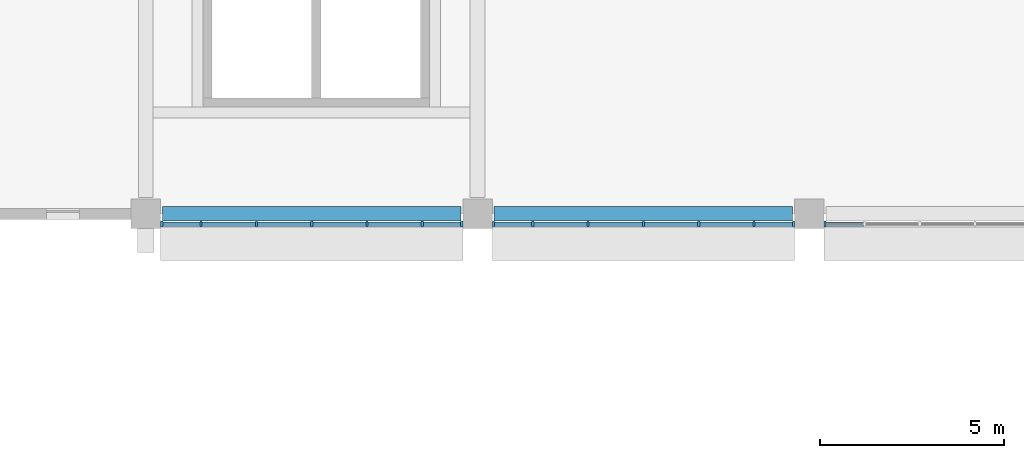
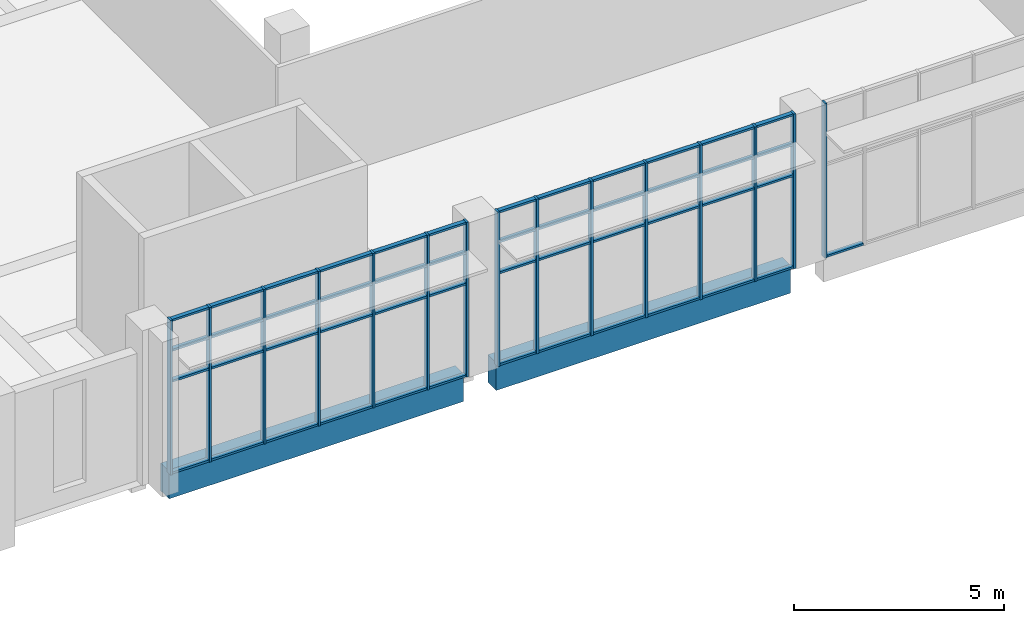
# One storey, part 2 of 106: 64 members, 2 beams, 3 elements without a shape of their own.
"""IFC4 building model written with IfcOpenShell, lengths in metres."""

from ifc_helpers import new_model, si_unit, direction, frame, origin, origin_2d, place, context, subcontext, project, spatial, rectangle, extrude, material, layer, layer_set, material_profile, profile_set, type_object, element, aggregate, save


model = new_model("IFC4")

# Units and contexts
model_context = context("Model", 3, precision=1e-05, world=origin(), true_north=direction((0.0, 1.0)))
body_context = subcontext(model_context, "Body", "Model", "MODEL_VIEW")
ifc_project = project(units=[si_unit("LENGTHUNIT", "METRE"), si_unit("AREAUNIT", "SQUARE_METRE"), si_unit("VOLUMEUNIT", "CUBIC_METRE"), si_unit("PLANEANGLEUNIT", "RADIAN"), si_unit("MASSUNIT", "GRAM", prefix="KILO")], contexts=[model_context])

# Site, building, storey
site_placement = place(None, origin())
site = spatial("IfcSite", under=ifc_project, at=site_placement, CompositionType="ELEMENT")
building_placement = place(site_placement, origin())
building = spatial("IfcBuilding", under=site, at=building_placement, Name="Guidao Yard Department Store", CompositionType="ELEMENT")
storey_placement = place(building_placement, frame((0.0, 0.0, 10.5)))
storey = spatial("IfcBuildingStorey", under=building, at=storey_placement, Name="L02", CompositionType="ELEMENT", Elevation=10.5)

# Curtain wall, members
ifc_material_1 = material(Name="Aluminium and glass", Category="aluminium")
ifc_layer = layer(ifc_material_1, 0.159912109375)
ifc_layer_set = layer_set([ifc_layer], Name="Hall front curtain wall CW2 1500 module")
curtain_wall_type = type_object("IfcCurtainWallType", Name="Hall front curtain wall CW2 1500 module", PredefinedType="NOTDEFINED", material=ifc_layer_set)
curtain_wall_1_placement = place(storey_placement, origin())
curtain_wall_1 = element("IfcCurtainWall", 1, at=curtain_wall_1_placement, inside=storey, type_object=curtain_wall_type, Name="Hall front curtain wall", PredefinedType="NOTDEFINED")
ifc_material_2 = material(Name="Aluminium 6063-T5", Category="aluminium")
ifc_material_profile_1 = material_profile(ifc_material_2, rectangle(XDim=0.06005859375, YDim=0.159912109375, at=origin_2d()), Name="Mullion M1 60 x 160 aluminium pressure plate")
ifc_profile_set_1 = profile_set([ifc_material_profile_1], Name="Aluminium 6063-T5")
member_type_1 = type_object("IfcMemberType", Name="Mullion M1 60 x 160 aluminium pressure plate", PredefinedType="MULLION", material=ifc_profile_set_1)
member_1_placement = place(storey_placement, frame((9.429931640625, 44.719970703125, 0.0), z_axis=(0.0, 0.0, 1.0), x_axis=(-1.0, 0.0, 0.0)))
member_1 = element("IfcMember", 2, at=member_1_placement, type_object=member_type_1, Name="CW-HF-L02-01 mullion 1", PredefinedType="MULLION", context=body_context, shape_type="SweptSolid", body=[
    extrude(rectangle(XDim=0.06005859375, YDim=0.159912109375, at=origin_2d()), origin(), (0.0, 0.0, 1.0), 4.5),
])
member_2_placement = place(storey_placement, frame((10.5, 44.719970703125, 0.0), z_axis=(0.0, 0.0, 1.0), x_axis=(-1.0, 0.0, 0.0)))
member_2 = element("IfcMember", 3, at=member_2_placement, type_object=member_type_1, Name="CW-HF-L02-01 mullion 2", PredefinedType="MULLION", context=body_context, shape_type="SweptSolid", body=[
    extrude(rectangle(XDim=0.06005859375, YDim=0.159912109375, at=origin_2d()), origin(), (0.0, 0.0, 1.0), 4.5),
])
member_3_placement = place(storey_placement, frame((12.0, 44.719970703125, 0.0), z_axis=(0.0, 0.0, 1.0), x_axis=(-1.0, 0.0, 0.0)))
member_3 = element("IfcMember", 4, at=member_3_placement, type_object=member_type_1, Name="CW-HF-L02-01 mullion 3", PredefinedType="MULLION", context=body_context, shape_type="SweptSolid", body=[
    extrude(rectangle(XDim=0.06005859375, YDim=0.159912109375, at=origin_2d()), origin(), (0.0, 0.0, 1.0), 4.5),
])
member_4_placement = place(storey_placement, frame((13.5, 44.719970703125, 0.0), z_axis=(0.0, 0.0, 1.0), x_axis=(-1.0, 0.0, 0.0)))
member_4 = element("IfcMember", 5, at=member_4_placement, type_object=member_type_1, Name="CW-HF-L02-01 mullion 4", PredefinedType="MULLION", context=body_context, shape_type="SweptSolid", body=[
    extrude(rectangle(XDim=0.06005859375, YDim=0.159912109375, at=origin_2d()), origin(), (0.0, 0.0, 1.0), 4.5),
])
member_5_placement = place(storey_placement, frame((15.0, 44.719970703125, 0.0), z_axis=(0.0, 0.0, 1.0), x_axis=(-1.0, 0.0, 0.0)))
member_5 = element("IfcMember", 6, at=member_5_placement, type_object=member_type_1, Name="CW-HF-L02-01 mullion 5", PredefinedType="MULLION", context=body_context, shape_type="SweptSolid", body=[
    extrude(rectangle(XDim=0.06005859375, YDim=0.159912109375, at=origin_2d()), origin(), (0.0, 0.0, 1.0), 4.5),
])
member_6_placement = place(storey_placement, frame((16.5, 44.719970703125, 0.0), z_axis=(0.0, 0.0, 1.0), x_axis=(-1.0, 0.0, 0.0)))
member_6 = element("IfcMember", 7, at=member_6_placement, type_object=member_type_1, Name="CW-HF-L02-01 mullion 6", PredefinedType="MULLION", context=body_context, shape_type="SweptSolid", body=[
    extrude(rectangle(XDim=0.06005859375, YDim=0.159912109375, at=origin_2d()), origin(), (0.0, 0.0, 1.0), 4.5),
])
member_7_placement = place(storey_placement, frame((17.570068359375, 44.719970703125, 0.0), z_axis=(0.0, 0.0, 1.0), x_axis=(-1.0, 0.0, 0.0)))
member_7 = element("IfcMember", 8, at=member_7_placement, type_object=member_type_1, Name="CW-HF-L02-01 mullion 7", PredefinedType="MULLION", context=body_context, shape_type="SweptSolid", body=[
    extrude(rectangle(XDim=0.06005859375, YDim=0.159912109375, at=origin_2d()), origin(), (0.0, 0.0, 1.0), 4.5),
])

curtain_wall_2_placement = place(storey_placement, origin())
curtain_wall_2 = element("IfcCurtainWall", 9, at=curtain_wall_2_placement, inside=storey, type_object=curtain_wall_type, Name="Hall front curtain wall", PredefinedType="NOTDEFINED")
member_8_placement = place(storey_placement, frame((18.429931640625, 44.719970703125, 0.0), z_axis=(0.0, 0.0, 1.0), x_axis=(-1.0, 0.0, 0.0)))
member_8 = element("IfcMember", 10, at=member_8_placement, type_object=member_type_1, Name="CW-HF-L02-02 mullion 1", PredefinedType="MULLION", context=body_context, shape_type="SweptSolid", body=[
    extrude(rectangle(XDim=0.06005859375, YDim=0.159912109375, at=origin_2d()), origin(), (0.0, 0.0, 1.0), 4.5),
])
member_9_placement = place(storey_placement, frame((19.5, 44.719970703125, 0.0), z_axis=(0.0, 0.0, 1.0), x_axis=(-1.0, 0.0, 0.0)))
member_9 = element("IfcMember", 11, at=member_9_placement, type_object=member_type_1, Name="CW-HF-L02-02 mullion 2", PredefinedType="MULLION", context=body_context, shape_type="SweptSolid", body=[
    extrude(rectangle(XDim=0.06005859375, YDim=0.159912109375, at=origin_2d()), origin(), (0.0, 0.0, 1.0), 4.5),
])
member_10_placement = place(storey_placement, frame((21.0, 44.719970703125, 0.0), z_axis=(0.0, 0.0, 1.0), x_axis=(-1.0, 0.0, 0.0)))
member_10 = element("IfcMember", 12, at=member_10_placement, type_object=member_type_1, Name="CW-HF-L02-02 mullion 3", PredefinedType="MULLION", context=body_context, shape_type="SweptSolid", body=[
    extrude(rectangle(XDim=0.06005859375, YDim=0.159912109375, at=origin_2d()), origin(), (0.0, 0.0, 1.0), 4.5),
])
member_11_placement = place(storey_placement, frame((22.5, 44.719970703125, 0.0), z_axis=(0.0, 0.0, 1.0), x_axis=(-1.0, 0.0, 0.0)))
member_11 = element("IfcMember", 13, at=member_11_placement, type_object=member_type_1, Name="CW-HF-L02-02 mullion 4", PredefinedType="MULLION", context=body_context, shape_type="SweptSolid", body=[
    extrude(rectangle(XDim=0.06005859375, YDim=0.159912109375, at=origin_2d()), origin(), (0.0, 0.0, 1.0), 4.5),
])
member_12_placement = place(storey_placement, frame((24.0, 44.719970703125, 0.0), z_axis=(0.0, 0.0, 1.0), x_axis=(-1.0, 0.0, 0.0)))
member_12 = element("IfcMember", 14, at=member_12_placement, type_object=member_type_1, Name="CW-HF-L02-02 mullion 5", PredefinedType="MULLION", context=body_context, shape_type="SweptSolid", body=[
    extrude(rectangle(XDim=0.06005859375, YDim=0.159912109375, at=origin_2d()), origin(), (0.0, 0.0, 1.0), 4.5),
])
member_13_placement = place(storey_placement, frame((25.5, 44.719970703125, 0.0), z_axis=(0.0, 0.0, 1.0), x_axis=(-1.0, 0.0, 0.0)))
member_13 = element("IfcMember", 15, at=member_13_placement, type_object=member_type_1, Name="CW-HF-L02-02 mullion 6", PredefinedType="MULLION", context=body_context, shape_type="SweptSolid", body=[
    extrude(rectangle(XDim=0.06005859375, YDim=0.159912109375, at=origin_2d()), origin(), (0.0, 0.0, 1.0), 4.5),
])
member_14_placement = place(storey_placement, frame((26.570068359375, 44.719970703125, 0.0), z_axis=(0.0, 0.0, 1.0), x_axis=(-1.0, 0.0, 0.0)))
member_14 = element("IfcMember", 16, at=member_14_placement, type_object=member_type_1, Name="CW-HF-L02-02 mullion 7", PredefinedType="MULLION", context=body_context, shape_type="SweptSolid", body=[
    extrude(rectangle(XDim=0.06005859375, YDim=0.159912109375, at=origin_2d()), origin(), (0.0, 0.0, 1.0), 4.5),
])

# Curtain wall, member
curtain_wall_3_placement = place(storey_placement, origin())
curtain_wall_3 = element("IfcCurtainWall", 17, at=curtain_wall_3_placement, inside=storey, type_object=curtain_wall_type, Name="Hall front curtain wall", PredefinedType="NOTDEFINED")
member_15_placement = place(storey_placement, frame((27.429931640625, 44.719970703125, 0.0), z_axis=(0.0, 0.0, 1.0), x_axis=(-1.0, 0.0, 0.0)))
member_15 = element("IfcMember", 18, at=member_15_placement, type_object=member_type_1, Name="CW-HF-L02-03 mullion 1", PredefinedType="MULLION", context=body_context, shape_type="SweptSolid", body=[
    extrude(rectangle(XDim=0.06005859375, YDim=0.159912109375, at=origin_2d()), origin(), (0.0, 0.0, 1.0), 4.5),
])

# Beams
ifc_material_3 = material(Name="Concrete C40", Category="concrete")
ifc_material_profile_2 = material_profile(ifc_material_3, rectangle(XDim=0.39990234375, YDim=0.800048828125, at=origin_2d()), Name="Spandrel beam 400 x 800 C40")
ifc_profile_set_2 = profile_set([ifc_material_profile_2], Name="Concrete C40")
beam_type = type_object("IfcBeamType", Name="Spandrel beam 400 x 800 C40", PredefinedType="SPANDREL", material=ifc_profile_set_2)
for number, where, z_axis, x_axis, name in (
    (19, (9.449951171875, 45.0, -0.39990234375), (1.0, 0.0, 0.0), (0.0, 1.0, 0.0), "Beam EB01"),
    (20, (18.449951171875, 45.0, -0.39990234375), (1.0, 0.0, 0.0), (0.0, 1.0, 0.0), "Beam EB02"),
):
    element("IfcBeam", number, at=place(storey_placement, frame(where, z_axis=z_axis, x_axis=x_axis)), inside=storey, type_object=beam_type, Name=name, PredefinedType="SPANDREL", context=body_context, shape_type="SweptSolid", body=[
        extrude(rectangle(XDim=0.39990234375, YDim=0.800048828125, at=origin_2d()), origin(), (0.0, 0.0, 1.0), 8.10009765625),
    ])

# Member
ifc_material_4 = material(Name="Aluminium 6063-T5", Category="aluminium")
ifc_material_profile_3 = material_profile(ifc_material_4, rectangle(XDim=0.1201171875, YDim=0.06005859375, at=origin_2d()), Name="Transom T1 60 x 120 aluminium pressure plate")
ifc_profile_set_3 = profile_set([ifc_material_profile_3], Name="Aluminium 6063-T5")
member_type_2 = type_object("IfcMemberType", Name="Transom T1 60 x 120 aluminium pressure plate", PredefinedType="USERDEFINED", material=ifc_profile_set_3)
member_16_placement = place(storey_placement, frame((10.469970703125, 44.719970703125, 0.030029296875), z_axis=(-1.0, 0.0, 0.0), x_axis=(0.0, -1.0, 0.0)))
member_16 = element("IfcMember", 21, at=member_16_placement, type_object=member_type_2, Name="CW-HF-L02-01 transom 1.1", ObjectType="TRANSOM", PredefinedType="USERDEFINED", context=body_context, shape_type="SweptSolid", body=[
    extrude(rectangle(XDim=0.1201171875, YDim=0.06005859375, at=origin_2d()), origin(), (0.0, 0.0, 1.0), 1.010009765625),
])

member_17_placement = place(storey_placement, frame((10.469970703125, 44.719970703125, 2.699951171875), z_axis=(-1.0, 0.0, 0.0), x_axis=(0.0, -1.0, 0.0)))
member_17 = element("IfcMember", 22, at=member_17_placement, type_object=member_type_2, Name="CW-HF-L02-01 transom 1.2", ObjectType="TRANSOM", PredefinedType="USERDEFINED", context=body_context, shape_type="SweptSolid", body=[
    extrude(rectangle(XDim=0.1201171875, YDim=0.06005859375, at=origin_2d()), origin(), (0.0, 0.0, 1.0), 1.010009765625),
])

member_18_placement = place(storey_placement, frame((10.469970703125, 44.719970703125, 3.60009765625), z_axis=(-1.0, 0.0, 0.0), x_axis=(0.0, -1.0, 0.0)))
member_18 = element("IfcMember", 23, at=member_18_placement, type_object=member_type_2, Name="CW-HF-L02-01 transom 1.3", ObjectType="TRANSOM", PredefinedType="USERDEFINED", context=body_context, shape_type="SweptSolid", body=[
    extrude(rectangle(XDim=0.1201171875, YDim=0.06005859375, at=origin_2d()), origin(), (0.0, 0.0, 1.0), 1.010009765625),
])

member_19_placement = place(storey_placement, frame((10.469970703125, 44.719970703125, 4.469970703125), z_axis=(-1.0, 0.0, 0.0), x_axis=(0.0, -1.0, 0.0)))
member_19 = element("IfcMember", 24, at=member_19_placement, type_object=member_type_2, Name="CW-HF-L02-01 transom 1.4", ObjectType="TRANSOM", PredefinedType="USERDEFINED", context=body_context, shape_type="SweptSolid", body=[
    extrude(rectangle(XDim=0.1201171875, YDim=0.06005859375, at=origin_2d()), origin(), (0.0, 0.0, 1.0), 1.010009765625),
])

member_20_placement = place(storey_placement, frame((11.969970703125, 44.719970703125, 0.030029296875), z_axis=(-1.0, 0.0, 0.0), x_axis=(0.0, -1.0, 0.0)))
member_20 = element("IfcMember", 25, at=member_20_placement, type_object=member_type_2, Name="CW-HF-L02-01 transom 2.1", ObjectType="TRANSOM", PredefinedType="USERDEFINED", context=body_context, shape_type="SweptSolid", body=[
    extrude(rectangle(XDim=0.1201171875, YDim=0.06005859375, at=origin_2d()), origin(), (0.0, 0.0, 1.0), 1.43994140625),
])

member_21_placement = place(storey_placement, frame((11.969970703125, 44.719970703125, 2.699951171875), z_axis=(-1.0, 0.0, 0.0), x_axis=(0.0, -1.0, 0.0)))
member_21 = element("IfcMember", 26, at=member_21_placement, type_object=member_type_2, Name="CW-HF-L02-01 transom 2.2", ObjectType="TRANSOM", PredefinedType="USERDEFINED", context=body_context, shape_type="SweptSolid", body=[
    extrude(rectangle(XDim=0.1201171875, YDim=0.06005859375, at=origin_2d()), origin(), (0.0, 0.0, 1.0), 1.43994140625),
])

member_22_placement = place(storey_placement, frame((11.969970703125, 44.719970703125, 3.60009765625), z_axis=(-1.0, 0.0, 0.0), x_axis=(0.0, -1.0, 0.0)))
member_22 = element("IfcMember", 27, at=member_22_placement, type_object=member_type_2, Name="CW-HF-L02-01 transom 2.3", ObjectType="TRANSOM", PredefinedType="USERDEFINED", context=body_context, shape_type="SweptSolid", body=[
    extrude(rectangle(XDim=0.1201171875, YDim=0.06005859375, at=origin_2d()), origin(), (0.0, 0.0, 1.0), 1.43994140625),
])

member_23_placement = place(storey_placement, frame((11.969970703125, 44.719970703125, 4.469970703125), z_axis=(-1.0, 0.0, 0.0), x_axis=(0.0, -1.0, 0.0)))
member_23 = element("IfcMember", 28, at=member_23_placement, type_object=member_type_2, Name="CW-HF-L02-01 transom 2.4", ObjectType="TRANSOM", PredefinedType="USERDEFINED", context=body_context, shape_type="SweptSolid", body=[
    extrude(rectangle(XDim=0.1201171875, YDim=0.06005859375, at=origin_2d()), origin(), (0.0, 0.0, 1.0), 1.43994140625),
])

member_24_placement = place(storey_placement, frame((13.469970703125, 44.719970703125, 0.030029296875), z_axis=(-1.0, 0.0, 0.0), x_axis=(0.0, -1.0, 0.0)))
member_24 = element("IfcMember", 29, at=member_24_placement, type_object=member_type_2, Name="CW-HF-L02-01 transom 3.1", ObjectType="TRANSOM", PredefinedType="USERDEFINED", context=body_context, shape_type="SweptSolid", body=[
    extrude(rectangle(XDim=0.1201171875, YDim=0.06005859375, at=origin_2d()), origin(), (0.0, 0.0, 1.0), 1.43994140625),
])

member_25_placement = place(storey_placement, frame((13.469970703125, 44.719970703125, 2.699951171875), z_axis=(-1.0, 0.0, 0.0), x_axis=(0.0, -1.0, 0.0)))
member_25 = element("IfcMember", 30, at=member_25_placement, type_object=member_type_2, Name="CW-HF-L02-01 transom 3.2", ObjectType="TRANSOM", PredefinedType="USERDEFINED", context=body_context, shape_type="SweptSolid", body=[
    extrude(rectangle(XDim=0.1201171875, YDim=0.06005859375, at=origin_2d()), origin(), (0.0, 0.0, 1.0), 1.43994140625),
])

member_26_placement = place(storey_placement, frame((13.469970703125, 44.719970703125, 3.60009765625), z_axis=(-1.0, 0.0, 0.0), x_axis=(0.0, -1.0, 0.0)))
member_26 = element("IfcMember", 31, at=member_26_placement, type_object=member_type_2, Name="CW-HF-L02-01 transom 3.3", ObjectType="TRANSOM", PredefinedType="USERDEFINED", context=body_context, shape_type="SweptSolid", body=[
    extrude(rectangle(XDim=0.1201171875, YDim=0.06005859375, at=origin_2d()), origin(), (0.0, 0.0, 1.0), 1.43994140625),
])

member_27_placement = place(storey_placement, frame((13.469970703125, 44.719970703125, 4.469970703125), z_axis=(-1.0, 0.0, 0.0), x_axis=(0.0, -1.0, 0.0)))
member_27 = element("IfcMember", 32, at=member_27_placement, type_object=member_type_2, Name="CW-HF-L02-01 transom 3.4", ObjectType="TRANSOM", PredefinedType="USERDEFINED", context=body_context, shape_type="SweptSolid", body=[
    extrude(rectangle(XDim=0.1201171875, YDim=0.06005859375, at=origin_2d()), origin(), (0.0, 0.0, 1.0), 1.43994140625),
])

member_28_placement = place(storey_placement, frame((14.969970703125, 44.719970703125, 0.030029296875), z_axis=(-1.0, 0.0, 0.0), x_axis=(0.0, -1.0, 0.0)))
member_28 = element("IfcMember", 33, at=member_28_placement, type_object=member_type_2, Name="CW-HF-L02-01 transom 4.1", ObjectType="TRANSOM", PredefinedType="USERDEFINED", context=body_context, shape_type="SweptSolid", body=[
    extrude(rectangle(XDim=0.1201171875, YDim=0.06005859375, at=origin_2d()), origin(), (0.0, 0.0, 1.0), 1.43994140625),
])

member_29_placement = place(storey_placement, frame((14.969970703125, 44.719970703125, 2.699951171875), z_axis=(-1.0, 0.0, 0.0), x_axis=(0.0, -1.0, 0.0)))
member_29 = element("IfcMember", 34, at=member_29_placement, type_object=member_type_2, Name="CW-HF-L02-01 transom 4.2", ObjectType="TRANSOM", PredefinedType="USERDEFINED", context=body_context, shape_type="SweptSolid", body=[
    extrude(rectangle(XDim=0.1201171875, YDim=0.06005859375, at=origin_2d()), origin(), (0.0, 0.0, 1.0), 1.43994140625),
])

member_30_placement = place(storey_placement, frame((14.969970703125, 44.719970703125, 3.60009765625), z_axis=(-1.0, 0.0, 0.0), x_axis=(0.0, -1.0, 0.0)))
member_30 = element("IfcMember", 35, at=member_30_placement, type_object=member_type_2, Name="CW-HF-L02-01 transom 4.3", ObjectType="TRANSOM", PredefinedType="USERDEFINED", context=body_context, shape_type="SweptSolid", body=[
    extrude(rectangle(XDim=0.1201171875, YDim=0.06005859375, at=origin_2d()), origin(), (0.0, 0.0, 1.0), 1.43994140625),
])

member_31_placement = place(storey_placement, frame((14.969970703125, 44.719970703125, 4.469970703125), z_axis=(-1.0, 0.0, 0.0), x_axis=(0.0, -1.0, 0.0)))
member_31 = element("IfcMember", 36, at=member_31_placement, type_object=member_type_2, Name="CW-HF-L02-01 transom 4.4", ObjectType="TRANSOM", PredefinedType="USERDEFINED", context=body_context, shape_type="SweptSolid", body=[
    extrude(rectangle(XDim=0.1201171875, YDim=0.06005859375, at=origin_2d()), origin(), (0.0, 0.0, 1.0), 1.43994140625),
])

member_32_placement = place(storey_placement, frame((16.469970703125, 44.719970703125, 0.030029296875), z_axis=(-1.0, 0.0, 0.0), x_axis=(0.0, -1.0, 0.0)))
member_32 = element("IfcMember", 37, at=member_32_placement, type_object=member_type_2, Name="CW-HF-L02-01 transom 5.1", ObjectType="TRANSOM", PredefinedType="USERDEFINED", context=body_context, shape_type="SweptSolid", body=[
    extrude(rectangle(XDim=0.1201171875, YDim=0.06005859375, at=origin_2d()), origin(), (0.0, 0.0, 1.0), 1.43994140625),
])

member_33_placement = place(storey_placement, frame((16.469970703125, 44.719970703125, 2.699951171875), z_axis=(-1.0, 0.0, 0.0), x_axis=(0.0, -1.0, 0.0)))
member_33 = element("IfcMember", 38, at=member_33_placement, type_object=member_type_2, Name="CW-HF-L02-01 transom 5.2", ObjectType="TRANSOM", PredefinedType="USERDEFINED", context=body_context, shape_type="SweptSolid", body=[
    extrude(rectangle(XDim=0.1201171875, YDim=0.06005859375, at=origin_2d()), origin(), (0.0, 0.0, 1.0), 1.43994140625),
])

member_34_placement = place(storey_placement, frame((16.469970703125, 44.719970703125, 3.60009765625), z_axis=(-1.0, 0.0, 0.0), x_axis=(0.0, -1.0, 0.0)))
member_34 = element("IfcMember", 39, at=member_34_placement, type_object=member_type_2, Name="CW-HF-L02-01 transom 5.3", ObjectType="TRANSOM", PredefinedType="USERDEFINED", context=body_context, shape_type="SweptSolid", body=[
    extrude(rectangle(XDim=0.1201171875, YDim=0.06005859375, at=origin_2d()), origin(), (0.0, 0.0, 1.0), 1.43994140625),
])

member_35_placement = place(storey_placement, frame((16.469970703125, 44.719970703125, 4.469970703125), z_axis=(-1.0, 0.0, 0.0), x_axis=(0.0, -1.0, 0.0)))
member_35 = element("IfcMember", 40, at=member_35_placement, type_object=member_type_2, Name="CW-HF-L02-01 transom 5.4", ObjectType="TRANSOM", PredefinedType="USERDEFINED", context=body_context, shape_type="SweptSolid", body=[
    extrude(rectangle(XDim=0.1201171875, YDim=0.06005859375, at=origin_2d()), origin(), (0.0, 0.0, 1.0), 1.43994140625),
])

member_36_placement = place(storey_placement, frame((17.5400390625, 44.719970703125, 0.030029296875), z_axis=(-1.0, 0.0, 0.0), x_axis=(0.0, -1.0, 0.0)))
member_36 = element("IfcMember", 41, at=member_36_placement, type_object=member_type_2, Name="CW-HF-L02-01 transom 6.1", ObjectType="TRANSOM", PredefinedType="USERDEFINED", context=body_context, shape_type="SweptSolid", body=[
    extrude(rectangle(XDim=0.1201171875, YDim=0.06005859375, at=origin_2d()), origin(), (0.0, 0.0, 1.0), 1.010009765625),
])

member_37_placement = place(storey_placement, frame((17.5400390625, 44.719970703125, 2.699951171875), z_axis=(-1.0, 0.0, 0.0), x_axis=(0.0, -1.0, 0.0)))
member_37 = element("IfcMember", 42, at=member_37_placement, type_object=member_type_2, Name="CW-HF-L02-01 transom 6.2", ObjectType="TRANSOM", PredefinedType="USERDEFINED", context=body_context, shape_type="SweptSolid", body=[
    extrude(rectangle(XDim=0.1201171875, YDim=0.06005859375, at=origin_2d()), origin(), (0.0, 0.0, 1.0), 1.010009765625),
])

member_38_placement = place(storey_placement, frame((17.5400390625, 44.719970703125, 3.60009765625), z_axis=(-1.0, 0.0, 0.0), x_axis=(0.0, -1.0, 0.0)))
member_38 = element("IfcMember", 43, at=member_38_placement, type_object=member_type_2, Name="CW-HF-L02-01 transom 6.3", ObjectType="TRANSOM", PredefinedType="USERDEFINED", context=body_context, shape_type="SweptSolid", body=[
    extrude(rectangle(XDim=0.1201171875, YDim=0.06005859375, at=origin_2d()), origin(), (0.0, 0.0, 1.0), 1.010009765625),
])

member_39_placement = place(storey_placement, frame((17.5400390625, 44.719970703125, 4.469970703125), z_axis=(-1.0, 0.0, 0.0), x_axis=(0.0, -1.0, 0.0)))
member_39 = element("IfcMember", 44, at=member_39_placement, type_object=member_type_2, Name="CW-HF-L02-01 transom 6.4", ObjectType="TRANSOM", PredefinedType="USERDEFINED", context=body_context, shape_type="SweptSolid", body=[
    extrude(rectangle(XDim=0.1201171875, YDim=0.06005859375, at=origin_2d()), origin(), (0.0, 0.0, 1.0), 1.010009765625),
])

aggregate(curtain_wall_1, [member_1, member_2, member_3, member_4, member_5, member_6, member_7, member_16, member_17, member_18, member_19, member_20, member_21, member_22, member_23, member_24, member_25, member_26, member_27, member_28, member_29, member_30, member_31, member_32, member_33, member_34, member_35, member_36, member_37, member_38, member_39])

member_40_placement = place(storey_placement, frame((19.469970703125, 44.719970703125, 0.030029296875), z_axis=(-1.0, 0.0, 0.0), x_axis=(0.0, -1.0, 0.0)))
member_40 = element("IfcMember", 45, at=member_40_placement, type_object=member_type_2, Name="CW-HF-L02-02 transom 1.1", ObjectType="TRANSOM", PredefinedType="USERDEFINED", context=body_context, shape_type="SweptSolid", body=[
    extrude(rectangle(XDim=0.1201171875, YDim=0.06005859375, at=origin_2d()), origin(), (0.0, 0.0, 1.0), 1.010009765625),
])

member_41_placement = place(storey_placement, frame((19.469970703125, 44.719970703125, 2.699951171875), z_axis=(-1.0, 0.0, 0.0), x_axis=(0.0, -1.0, 0.0)))
member_41 = element("IfcMember", 46, at=member_41_placement, type_object=member_type_2, Name="CW-HF-L02-02 transom 1.2", ObjectType="TRANSOM", PredefinedType="USERDEFINED", context=body_context, shape_type="SweptSolid", body=[
    extrude(rectangle(XDim=0.1201171875, YDim=0.06005859375, at=origin_2d()), origin(), (0.0, 0.0, 1.0), 1.010009765625),
])

member_42_placement = place(storey_placement, frame((19.469970703125, 44.719970703125, 3.60009765625), z_axis=(-1.0, 0.0, 0.0), x_axis=(0.0, -1.0, 0.0)))
member_42 = element("IfcMember", 47, at=member_42_placement, type_object=member_type_2, Name="CW-HF-L02-02 transom 1.3", ObjectType="TRANSOM", PredefinedType="USERDEFINED", context=body_context, shape_type="SweptSolid", body=[
    extrude(rectangle(XDim=0.1201171875, YDim=0.06005859375, at=origin_2d()), origin(), (0.0, 0.0, 1.0), 1.010009765625),
])

member_43_placement = place(storey_placement, frame((19.469970703125, 44.719970703125, 4.469970703125), z_axis=(-1.0, 0.0, 0.0), x_axis=(0.0, -1.0, 0.0)))
member_43 = element("IfcMember", 48, at=member_43_placement, type_object=member_type_2, Name="CW-HF-L02-02 transom 1.4", ObjectType="TRANSOM", PredefinedType="USERDEFINED", context=body_context, shape_type="SweptSolid", body=[
    extrude(rectangle(XDim=0.1201171875, YDim=0.06005859375, at=origin_2d()), origin(), (0.0, 0.0, 1.0), 1.010009765625),
])

member_44_placement = place(storey_placement, frame((20.969970703125, 44.719970703125, 0.030029296875), z_axis=(-1.0, 0.0, 0.0), x_axis=(0.0, -1.0, 0.0)))
member_44 = element("IfcMember", 49, at=member_44_placement, type_object=member_type_2, Name="CW-HF-L02-02 transom 2.1", ObjectType="TRANSOM", PredefinedType="USERDEFINED", context=body_context, shape_type="SweptSolid", body=[
    extrude(rectangle(XDim=0.1201171875, YDim=0.06005859375, at=origin_2d()), origin(), (0.0, 0.0, 1.0), 1.43994140625),
])

member_45_placement = place(storey_placement, frame((20.969970703125, 44.719970703125, 2.699951171875), z_axis=(-1.0, 0.0, 0.0), x_axis=(0.0, -1.0, 0.0)))
member_45 = element("IfcMember", 50, at=member_45_placement, type_object=member_type_2, Name="CW-HF-L02-02 transom 2.2", ObjectType="TRANSOM", PredefinedType="USERDEFINED", context=body_context, shape_type="SweptSolid", body=[
    extrude(rectangle(XDim=0.1201171875, YDim=0.06005859375, at=origin_2d()), origin(), (0.0, 0.0, 1.0), 1.43994140625),
])

member_46_placement = place(storey_placement, frame((20.969970703125, 44.719970703125, 3.60009765625), z_axis=(-1.0, 0.0, 0.0), x_axis=(0.0, -1.0, 0.0)))
member_46 = element("IfcMember", 51, at=member_46_placement, type_object=member_type_2, Name="CW-HF-L02-02 transom 2.3", ObjectType="TRANSOM", PredefinedType="USERDEFINED", context=body_context, shape_type="SweptSolid", body=[
    extrude(rectangle(XDim=0.1201171875, YDim=0.06005859375, at=origin_2d()), origin(), (0.0, 0.0, 1.0), 1.43994140625),
])

member_47_placement = place(storey_placement, frame((20.969970703125, 44.719970703125, 4.469970703125), z_axis=(-1.0, 0.0, 0.0), x_axis=(0.0, -1.0, 0.0)))
member_47 = element("IfcMember", 52, at=member_47_placement, type_object=member_type_2, Name="CW-HF-L02-02 transom 2.4", ObjectType="TRANSOM", PredefinedType="USERDEFINED", context=body_context, shape_type="SweptSolid", body=[
    extrude(rectangle(XDim=0.1201171875, YDim=0.06005859375, at=origin_2d()), origin(), (0.0, 0.0, 1.0), 1.43994140625),
])

member_48_placement = place(storey_placement, frame((22.469970703125, 44.719970703125, 0.030029296875), z_axis=(-1.0, 0.0, 0.0), x_axis=(0.0, -1.0, 0.0)))
member_48 = element("IfcMember", 53, at=member_48_placement, type_object=member_type_2, Name="CW-HF-L02-02 transom 3.1", ObjectType="TRANSOM", PredefinedType="USERDEFINED", context=body_context, shape_type="SweptSolid", body=[
    extrude(rectangle(XDim=0.1201171875, YDim=0.06005859375, at=origin_2d()), origin(), (0.0, 0.0, 1.0), 1.43994140625),
])

member_49_placement = place(storey_placement, frame((22.469970703125, 44.719970703125, 2.699951171875), z_axis=(-1.0, 0.0, 0.0), x_axis=(0.0, -1.0, 0.0)))
member_49 = element("IfcMember", 54, at=member_49_placement, type_object=member_type_2, Name="CW-HF-L02-02 transom 3.2", ObjectType="TRANSOM", PredefinedType="USERDEFINED", context=body_context, shape_type="SweptSolid", body=[
    extrude(rectangle(XDim=0.1201171875, YDim=0.06005859375, at=origin_2d()), origin(), (0.0, 0.0, 1.0), 1.43994140625),
])

member_50_placement = place(storey_placement, frame((22.469970703125, 44.719970703125, 3.60009765625), z_axis=(-1.0, 0.0, 0.0), x_axis=(0.0, -1.0, 0.0)))
member_50 = element("IfcMember", 55, at=member_50_placement, type_object=member_type_2, Name="CW-HF-L02-02 transom 3.3", ObjectType="TRANSOM", PredefinedType="USERDEFINED", context=body_context, shape_type="SweptSolid", body=[
    extrude(rectangle(XDim=0.1201171875, YDim=0.06005859375, at=origin_2d()), origin(), (0.0, 0.0, 1.0), 1.43994140625),
])

member_51_placement = place(storey_placement, frame((22.469970703125, 44.719970703125, 4.469970703125), z_axis=(-1.0, 0.0, 0.0), x_axis=(0.0, -1.0, 0.0)))
member_51 = element("IfcMember", 56, at=member_51_placement, type_object=member_type_2, Name="CW-HF-L02-02 transom 3.4", ObjectType="TRANSOM", PredefinedType="USERDEFINED", context=body_context, shape_type="SweptSolid", body=[
    extrude(rectangle(XDim=0.1201171875, YDim=0.06005859375, at=origin_2d()), origin(), (0.0, 0.0, 1.0), 1.43994140625),
])

member_52_placement = place(storey_placement, frame((23.969970703125, 44.719970703125, 0.030029296875), z_axis=(-1.0, 0.0, 0.0), x_axis=(0.0, -1.0, 0.0)))
member_52 = element("IfcMember", 57, at=member_52_placement, type_object=member_type_2, Name="CW-HF-L02-02 transom 4.1", ObjectType="TRANSOM", PredefinedType="USERDEFINED", context=body_context, shape_type="SweptSolid", body=[
    extrude(rectangle(XDim=0.1201171875, YDim=0.06005859375, at=origin_2d()), origin(), (0.0, 0.0, 1.0), 1.43994140625),
])

member_53_placement = place(storey_placement, frame((23.969970703125, 44.719970703125, 2.699951171875), z_axis=(-1.0, 0.0, 0.0), x_axis=(0.0, -1.0, 0.0)))
member_53 = element("IfcMember", 58, at=member_53_placement, type_object=member_type_2, Name="CW-HF-L02-02 transom 4.2", ObjectType="TRANSOM", PredefinedType="USERDEFINED", context=body_context, shape_type="SweptSolid", body=[
    extrude(rectangle(XDim=0.1201171875, YDim=0.06005859375, at=origin_2d()), origin(), (0.0, 0.0, 1.0), 1.43994140625),
])

member_54_placement = place(storey_placement, frame((23.969970703125, 44.719970703125, 3.60009765625), z_axis=(-1.0, 0.0, 0.0), x_axis=(0.0, -1.0, 0.0)))
member_54 = element("IfcMember", 59, at=member_54_placement, type_object=member_type_2, Name="CW-HF-L02-02 transom 4.3", ObjectType="TRANSOM", PredefinedType="USERDEFINED", context=body_context, shape_type="SweptSolid", body=[
    extrude(rectangle(XDim=0.1201171875, YDim=0.06005859375, at=origin_2d()), origin(), (0.0, 0.0, 1.0), 1.43994140625),
])

member_55_placement = place(storey_placement, frame((23.969970703125, 44.719970703125, 4.469970703125), z_axis=(-1.0, 0.0, 0.0), x_axis=(0.0, -1.0, 0.0)))
member_55 = element("IfcMember", 60, at=member_55_placement, type_object=member_type_2, Name="CW-HF-L02-02 transom 4.4", ObjectType="TRANSOM", PredefinedType="USERDEFINED", context=body_context, shape_type="SweptSolid", body=[
    extrude(rectangle(XDim=0.1201171875, YDim=0.06005859375, at=origin_2d()), origin(), (0.0, 0.0, 1.0), 1.43994140625),
])

member_56_placement = place(storey_placement, frame((25.469970703125, 44.719970703125, 0.030029296875), z_axis=(-1.0, 0.0, 0.0), x_axis=(0.0, -1.0, 0.0)))
member_56 = element("IfcMember", 61, at=member_56_placement, type_object=member_type_2, Name="CW-HF-L02-02 transom 5.1", ObjectType="TRANSOM", PredefinedType="USERDEFINED", context=body_context, shape_type="SweptSolid", body=[
    extrude(rectangle(XDim=0.1201171875, YDim=0.06005859375, at=origin_2d()), origin(), (0.0, 0.0, 1.0), 1.43994140625),
])

member_57_placement = place(storey_placement, frame((25.469970703125, 44.719970703125, 2.699951171875), z_axis=(-1.0, 0.0, 0.0), x_axis=(0.0, -1.0, 0.0)))
member_57 = element("IfcMember", 62, at=member_57_placement, type_object=member_type_2, Name="CW-HF-L02-02 transom 5.2", ObjectType="TRANSOM", PredefinedType="USERDEFINED", context=body_context, shape_type="SweptSolid", body=[
    extrude(rectangle(XDim=0.1201171875, YDim=0.06005859375, at=origin_2d()), origin(), (0.0, 0.0, 1.0), 1.43994140625),
])

member_58_placement = place(storey_placement, frame((25.469970703125, 44.719970703125, 3.60009765625), z_axis=(-1.0, 0.0, 0.0), x_axis=(0.0, -1.0, 0.0)))
member_58 = element("IfcMember", 63, at=member_58_placement, type_object=member_type_2, Name="CW-HF-L02-02 transom 5.3", ObjectType="TRANSOM", PredefinedType="USERDEFINED", context=body_context, shape_type="SweptSolid", body=[
    extrude(rectangle(XDim=0.1201171875, YDim=0.06005859375, at=origin_2d()), origin(), (0.0, 0.0, 1.0), 1.43994140625),
])

member_59_placement = place(storey_placement, frame((25.469970703125, 44.719970703125, 4.469970703125), z_axis=(-1.0, 0.0, 0.0), x_axis=(0.0, -1.0, 0.0)))
member_59 = element("IfcMember", 64, at=member_59_placement, type_object=member_type_2, Name="CW-HF-L02-02 transom 5.4", ObjectType="TRANSOM", PredefinedType="USERDEFINED", context=body_context, shape_type="SweptSolid", body=[
    extrude(rectangle(XDim=0.1201171875, YDim=0.06005859375, at=origin_2d()), origin(), (0.0, 0.0, 1.0), 1.43994140625),
])

member_60_placement = place(storey_placement, frame((26.5400390625, 44.719970703125, 0.030029296875), z_axis=(-1.0, 0.0, 0.0), x_axis=(0.0, -1.0, 0.0)))
member_60 = element("IfcMember", 65, at=member_60_placement, type_object=member_type_2, Name="CW-HF-L02-02 transom 6.1", ObjectType="TRANSOM", PredefinedType="USERDEFINED", context=body_context, shape_type="SweptSolid", body=[
    extrude(rectangle(XDim=0.1201171875, YDim=0.06005859375, at=origin_2d()), origin(), (0.0, 0.0, 1.0), 1.010009765625),
])

member_61_placement = place(storey_placement, frame((26.5400390625, 44.719970703125, 2.699951171875), z_axis=(-1.0, 0.0, 0.0), x_axis=(0.0, -1.0, 0.0)))
member_61 = element("IfcMember", 66, at=member_61_placement, type_object=member_type_2, Name="CW-HF-L02-02 transom 6.2", ObjectType="TRANSOM", PredefinedType="USERDEFINED", context=body_context, shape_type="SweptSolid", body=[
    extrude(rectangle(XDim=0.1201171875, YDim=0.06005859375, at=origin_2d()), origin(), (0.0, 0.0, 1.0), 1.010009765625),
])

member_62_placement = place(storey_placement, frame((26.5400390625, 44.719970703125, 3.60009765625), z_axis=(-1.0, 0.0, 0.0), x_axis=(0.0, -1.0, 0.0)))
member_62 = element("IfcMember", 67, at=member_62_placement, type_object=member_type_2, Name="CW-HF-L02-02 transom 6.3", ObjectType="TRANSOM", PredefinedType="USERDEFINED", context=body_context, shape_type="SweptSolid", body=[
    extrude(rectangle(XDim=0.1201171875, YDim=0.06005859375, at=origin_2d()), origin(), (0.0, 0.0, 1.0), 1.010009765625),
])

member_63_placement = place(storey_placement, frame((26.5400390625, 44.719970703125, 4.469970703125), z_axis=(-1.0, 0.0, 0.0), x_axis=(0.0, -1.0, 0.0)))
member_63 = element("IfcMember", 68, at=member_63_placement, type_object=member_type_2, Name="CW-HF-L02-02 transom 6.4", ObjectType="TRANSOM", PredefinedType="USERDEFINED", context=body_context, shape_type="SweptSolid", body=[
    extrude(rectangle(XDim=0.1201171875, YDim=0.06005859375, at=origin_2d()), origin(), (0.0, 0.0, 1.0), 1.010009765625),
])

aggregate(curtain_wall_2, [member_8, member_9, member_10, member_11, member_12, member_13, member_14, member_40, member_41, member_42, member_43, member_44, member_45, member_46, member_47, member_48, member_49, member_50, member_51, member_52, member_53, member_54, member_55, member_56, member_57, member_58, member_59, member_60, member_61, member_62, member_63])

member_64_placement = place(storey_placement, frame((28.469970703125, 44.719970703125, 0.030029296875), z_axis=(-1.0, 0.0, 0.0), x_axis=(0.0, -1.0, 0.0)))
member_64 = element("IfcMember", 69, at=member_64_placement, type_object=member_type_2, Name="CW-HF-L02-03 transom 1.1", ObjectType="TRANSOM", PredefinedType="USERDEFINED", context=body_context, shape_type="SweptSolid", body=[
    extrude(rectangle(XDim=0.1201171875, YDim=0.06005859375, at=origin_2d()), origin(), (0.0, 0.0, 1.0), 1.010009765625),
])

aggregate(curtain_wall_3, [member_15, member_64])

save(model, "model.ifc")
